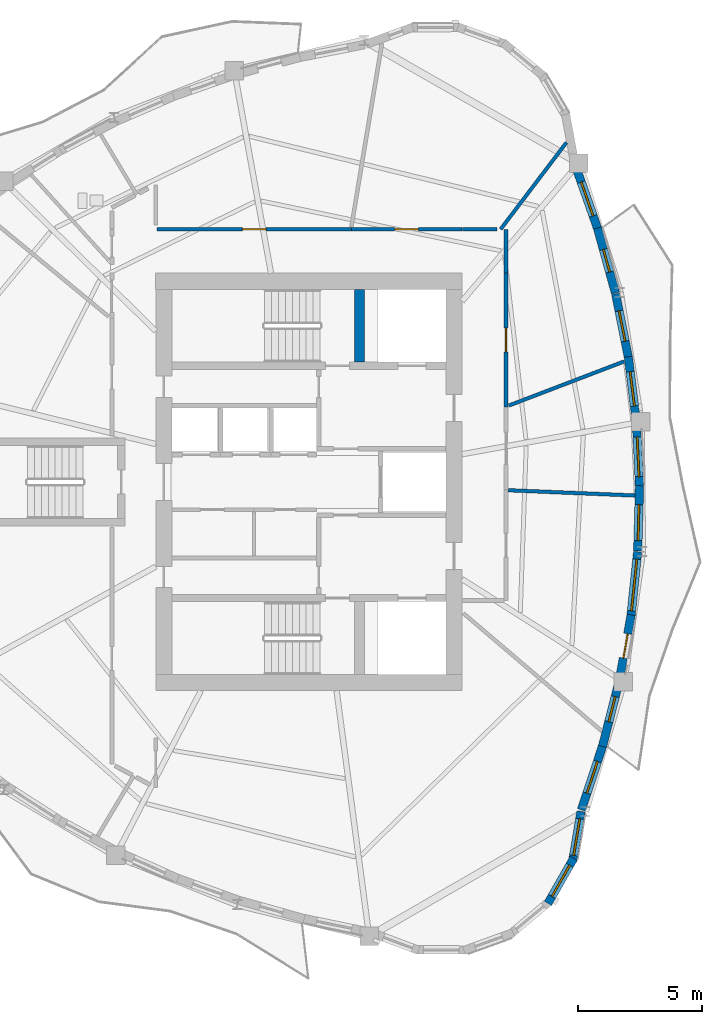
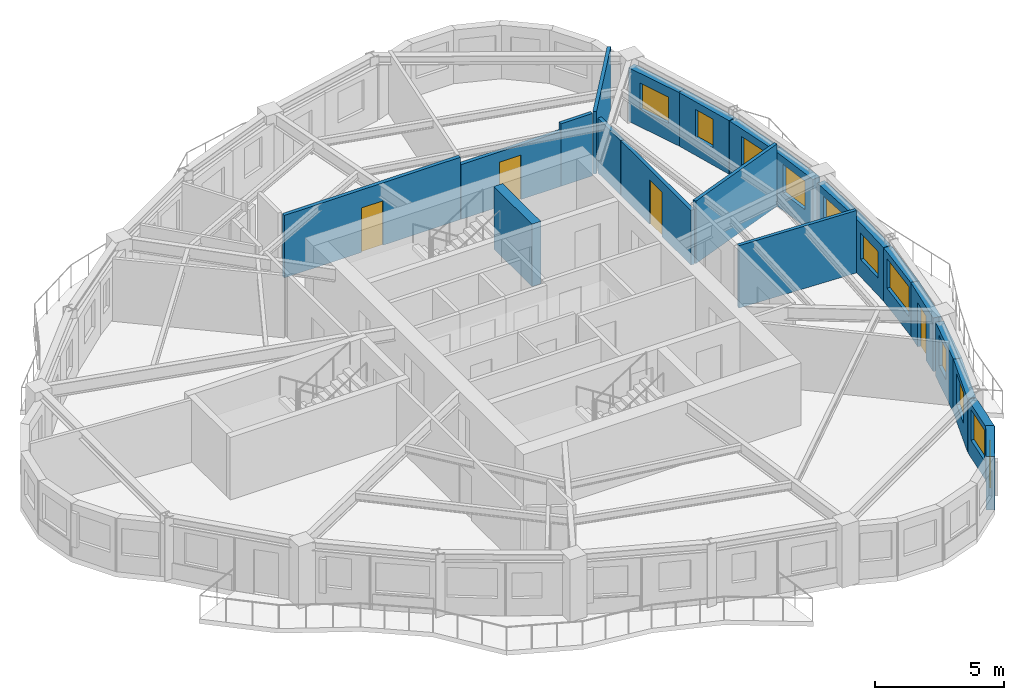
# One storey, part 6 of 11: 21 walls, 11 windows, 4 doors, 15 openings.
"""IFC4 building model written with IfcOpenShell, lengths in metres."""

from ifc_helpers import new_model, si_unit, direction, frame, frame_2d, origin, place, context, subcontext, project, spatial, rectangle, extrude, source, transform, mapped, material, layer, layer_set, type_object, element, fill, save


model = new_model("IFC4")

# Units and contexts
model_context = context("Model", 3, precision=1e-05, world=origin(), true_north=direction((0.0, 1.0)))
body_context = subcontext(model_context, "Body", "Model", "MODEL_VIEW")
ifc_project = project(units=[si_unit("LENGTHUNIT", "METRE"), si_unit("AREAUNIT", "SQUARE_METRE"), si_unit("VOLUMEUNIT", "CUBIC_METRE"), si_unit("PLANEANGLEUNIT", "RADIAN"), si_unit("MASSUNIT", "GRAM", prefix="KILO")], contexts=[model_context])

# Site, building, storey
site_placement = place(None, origin())
site = spatial("IfcSite", under=ifc_project, at=site_placement, CompositionType="ELEMENT")
building_placement = place(site_placement, origin())
building = spatial("IfcBuilding", under=site, at=building_placement, Name="Qafzar Sky-Pleat Residences", CompositionType="ELEMENT")
storey_placement = place(building_placement, frame((0.0, 0.0, 168.199951171875)))
storey = spatial("IfcBuildingStorey", under=building, at=storey_placement, Name="L50", CompositionType="ELEMENT", Elevation=168.199951171875)

# Wall, opening, door
ifc_material_1 = material(Name="Acoustic gypsum plasterboard partition", Category="gypsum")
ifc_layer_1 = layer(ifc_material_1, 0.159912109375)
ifc_layer_set_1 = layer_set([ifc_layer_1], Name="Acoustic gypsum plasterboard partition")
wall_type_1 = type_object("IfcWallType", Name="PART-COR-160", PredefinedType="PARTITIONING", material=ifc_layer_set_1)
wall_1_placement = place(storey_placement, frame((24.200927734375, 36.22998046875, 0.0), z_axis=(0.0, 0.0, 1.0), x_axis=(1.0, 0.0, 0.0)))
wall_1 = element("IfcWall", 1, at=wall_1_placement, inside=storey, type_object=wall_type_1, Name="L50 Partition Wall PART-L50-PW-002", PredefinedType="PARTITIONING", context=body_context, shape_type="SweptSolid", body=[
    extrude(rectangle(XDim=7.8681640625, YDim=0.159912109375, at=frame_2d((3.93408203125, 0.0))), origin(), (0.0, 0.0, 1.0), 2.949951171875),
])
opening_1_placement = place(wall_1_placement, frame((3.45556640625, 0.0, 0.0)))
opening_1 = element("IfcOpeningElement", 2, at=opening_1_placement, cuts=wall_1, Name="Opening ID-06", PredefinedType="OPENING", context=body_context, shape_type="SweptSolid", body=[
    extrude(rectangle(XDim=0.9599609375, YDim=2.10009765625, at=frame_2d((0.47998046875, 1.050048828125))), frame((0.0, 0.08984375, 0.0), z_axis=(0.0, -1.0, 0.0), x_axis=(1.0, 0.0, 0.0)), (0.0, 0.0, 1.0), 0.179931640625),
])
ifc_material_2 = material(Name="Timber-faced fire door", Category="wood")
door_type_1 = type_object("IfcDoorType", Name="DR-STD-960", OperationType="NOTDEFINED", PredefinedType="DOOR", material=ifc_material_2)
shared_shape_1 = source(origin(), body_context, "Body", "SweptSolid", [
    extrude(rectangle(XDim=0.9599609375, YDim=2.10009765625, at=frame_2d((0.47998046875, 1.050048828125))), frame((0.0, 0.02490234375, 0.0), z_axis=(0.0, -1.0, 0.0), x_axis=(1.0, 0.0, 0.0)), (0.0, 0.0, 1.0), 0.050048828125),
])
door_1_placement = place(opening_1_placement, origin())
door_1 = element("IfcDoor", 3, at=door_1_placement, inside=storey, type_object=door_type_1, Name="L50 Postdoctoral Admin Office Door", OperationType="SINGLE_SWING_RIGHT", OverallHeight=2.10009765625, OverallWidth=0.9599609375, PredefinedType="DOOR", context=body_context, shape_type="MappedRepresentation", body=[
    mapped(shared_shape_1, transform((0.0, 0.0, 0.0), x_axis=(1.0, 0.0, 0.0), y_axis=(0.0, 1.0, 0.0), z_axis=(0.0, 0.0, 1.0), scale=1.0)),
])
fill(opening_1, door_1)

wall_2_placement = place(storey_placement, frame((38.330078125, 34.449951171875, 0.0), z_axis=(0.0, 0.0, 1.0), x_axis=(0.0, -1.0, 0.0)))
wall_2 = element("IfcWall", 4, at=wall_2_placement, inside=storey, type_object=wall_type_1, Name="L50 Partition Wall PART-L50-PW-003", PredefinedType="PARTITIONING", context=body_context, shape_type="SweptSolid", body=[
    extrude(rectangle(XDim=5.416015625, YDim=0.159912109375, at=frame_2d((2.7080078125, 0.0))), origin(), (0.0, 0.0, 1.0), 2.588134765625),
])
opening_2_placement = place(wall_2_placement, frame((2.220458984375, 0.0, 0.0)))
opening_2 = element("IfcOpeningElement", 5, at=opening_2_placement, cuts=wall_2, Name="Opening ID-06", PredefinedType="OPENING", context=body_context, shape_type="SweptSolid", body=[
    extrude(rectangle(XDim=0.9599609375, YDim=2.10009765625, at=frame_2d((0.47998046875, 1.050048828125))), frame((0.0, 0.08984375, 0.0), z_axis=(0.0, -1.0, 0.0), x_axis=(1.0, 0.0, 0.0)), (0.0, 0.0, 1.0), 0.179931640625),
])
door_2_placement = place(opening_2_placement, origin())
door_2 = element("IfcDoor", 6, at=door_2_placement, inside=storey, type_object=door_type_1, Name="L50 Media Screening Room Door", OperationType="SINGLE_SWING_LEFT", OverallHeight=2.10009765625, OverallWidth=0.9599609375, PredefinedType="DOOR", context=body_context, shape_type="MappedRepresentation", body=[
    mapped(shared_shape_1, transform((0.0, 0.0, 0.0), x_axis=(1.0, 0.0, 0.0), y_axis=(0.0, 1.0, 0.0), z_axis=(0.0, 0.0, 1.0), scale=1.0)),
])
fill(opening_2, door_2)

wall_3_placement = place(storey_placement, frame((32.083984375, 36.22998046875, 0.0), z_axis=(0.0, 0.0, 1.0), x_axis=(1.0, 0.0, 0.0)))
wall_3 = element("IfcWall", 7, at=wall_3_placement, inside=storey, type_object=wall_type_1, Name="L50 Partition Wall PART-L50-PW-006", PredefinedType="PARTITIONING", context=body_context, shape_type="SweptSolid", body=[
    extrude(rectangle(XDim=4.466064453125, YDim=0.159912109375, at=frame_2d((2.23291015625, 0.0))), origin(), (0.0, 0.0, 1.0), 2.588134765625),
])
opening_3_placement = place(wall_3_placement, frame((1.738037109375, 0.0, 0.0)))
opening_3 = element("IfcOpeningElement", 8, at=opening_3_placement, cuts=wall_3, Name="Opening ID-06", PredefinedType="OPENING", context=body_context, shape_type="SweptSolid", body=[
    extrude(rectangle(XDim=0.9599609375, YDim=2.10009765625, at=frame_2d((0.47998046875, 1.050048828125))), frame((0.0, 0.08984375, 0.0), z_axis=(0.0, -1.0, 0.0), x_axis=(1.0, 0.0, 0.0)), (0.0, 0.0, 1.0), 0.179931640625),
])
door_3_placement = place(opening_3_placement, origin())
door_3 = element("IfcDoor", 9, at=door_3_placement, inside=storey, type_object=door_type_1, Name="L50 Reading Library Door", OperationType="SINGLE_SWING_RIGHT", OverallHeight=2.10009765625, OverallWidth=0.9599609375, PredefinedType="DOOR", context=body_context, shape_type="MappedRepresentation", body=[
    mapped(shared_shape_1, transform((0.0, 0.0, 0.0), x_axis=(1.0, 0.0, 0.0), y_axis=(0.0, 1.0, 0.0), z_axis=(0.0, 0.0, 1.0), scale=1.0)),
])
fill(opening_3, door_3)

# Walls
wall_4_placement = place(storey_placement, frame((38.330078125, 34.465087890625, 0.0), z_axis=(0.0, 0.0, 1.0), x_axis=(0.0, 1.0, 0.0)))
element("IfcWall", 10, at=wall_4_placement, inside=storey, type_object=wall_type_1, Name="L50 Partition Wall PART-L50-PW-022", PredefinedType="PARTITIONING", context=body_context, shape_type="SweptSolid", body=[
    extrude(rectangle(XDim=1.764892578125, YDim=0.159912109375, at=frame_2d((0.88232421875, 0.0))), origin(), (0.0, 0.0, 1.0), 2.588134765625),
])
wall_5_placement = place(storey_placement, frame((36.56494140625, 36.22998046875, 0.0), z_axis=(0.0, 0.0, 1.0), x_axis=(1.0, 0.0, 0.0)))
element("IfcWall", 11, at=wall_5_placement, inside=storey, type_object=wall_type_1, Name="L50 Partition Wall PART-L50-PW-024", PredefinedType="PARTITIONING", context=body_context, shape_type="SweptSolid", body=[
    extrude(rectangle(XDim=1.40625, YDim=0.159912109375, at=frame_2d((0.703125, 0.0))), origin(), (0.0, 0.0, 1.0), 2.949951171875),
])
ifc_layer_2 = layer(ifc_material_1, 0.14501953125)
ifc_layer_set_2 = layer_set([ifc_layer_2], Name="Acoustic gypsum plasterboard partition")
wall_type_2 = type_object("IfcWallType", Name="PART-UNIT-145", PredefinedType="PARTITIONING", material=ifc_layer_set_2)
wall_6_placement = place(storey_placement, frame((38.4208984375, 25.664306640625, 0.0), z_axis=(0.0, 0.0, 1.0), x_axis=(0.999132413059, -0.041646382499, 0.0)))
element("IfcWall", 12, at=wall_6_placement, inside=storey, type_object=wall_type_2, Name="L50 Partition Wall PART-L50-PW-015", PredefinedType="PARTITIONING", context=body_context, shape_type="SweptSolid", body=[
    extrude(rectangle(XDim=5.12939453125, YDim=0.14501953125, at=frame_2d((2.564697265625, 0.0))), origin(), (0.0, 0.0, 1.0), 2.949951171875),
])
wall_7_placement = place(storey_placement, frame((38.443359375, 29.09228515625, 0.0), z_axis=(0.0, 0.0, 1.0), x_axis=(0.934064302859, 0.357104855923, 0.0)))
element("IfcWall", 13, at=wall_7_placement, inside=storey, type_object=wall_type_2, Name="L50 Partition Wall PART-L50-PW-016", PredefinedType="PARTITIONING", context=body_context, shape_type="SweptSolid", body=[
    extrude(rectangle(XDim=4.994873046875, YDim=0.14501953125, at=frame_2d((2.49755859375, 0.0))), origin(), (0.0, 0.0, 1.0), 2.949951171875),
])
wall_8_placement = place(storey_placement, frame((38.112060546875, 36.22998046875, 0.0), z_axis=(0.0, 0.0, 1.0), x_axis=(0.604495658019, 0.796608435453, 0.0)))
element("IfcWall", 14, at=wall_8_placement, inside=storey, type_object=wall_type_2, Name="L50 Partition Wall PART-L50-PW-018", PredefinedType="PARTITIONING", context=body_context, shape_type="SweptSolid", body=[
    extrude(rectangle(XDim=4.404541015625, YDim=0.14501953125, at=frame_2d((2.2021484375, 0.0))), origin(), (0.0, 0.0, 1.0), 2.949951171875),
])

# Wall, opening, window
ifc_material_3 = material(Name="Precast concrete C40/50 with honed Riyadh limestone", Category="concrete")
ifc_layer_3 = layer(ifc_material_3, 0.340087890625)
ifc_layer_set_3 = layer_set([ifc_layer_3], Name="Precast concrete C40/50 with honed Riyadh limestone")
wall_type_3 = type_object("IfcWallType", Name="WALL-EXT-340", PredefinedType="SOLIDWALL", material=ifc_layer_set_3)
wall_9_placement = place(storey_placement, frame((40.02685546875, 8.934326171875, 0.0), z_axis=(0.0, 0.0, 1.0), x_axis=(0.495852152567, 0.868406956901, 0.0)))
wall_9 = element("IfcWall", 15, at=wall_9_placement, inside=storey, type_object=wall_type_3, Name="L50 Limestone Facade Wall 21", PredefinedType="SOLIDWALL", context=body_context, shape_type="SweptSolid", body=[
    extrude(rectangle(XDim=2.10888671875, YDim=0.340087890625, at=frame_2d((1.054443359375, 0.0))), origin(), (0.0, 0.0, 1.0), 2.530029296875),
])
opening_4_placement = place(wall_9_placement, frame((0.329345703125, 0.0, 0.820068359375)))
opening_4 = element("IfcOpeningElement", 16, at=opening_4_placement, cuts=wall_9, Name="Opening WN-15", PredefinedType="OPENING", context=body_context, shape_type="SweptSolid", body=[
    extrude(rectangle(XDim=1.449951171875, YDim=1.25, at=frame_2d((0.72509765625, 0.625))), frame((0.0, 0.18017578125, 0.0), z_axis=(0.0, -1.0, 0.0), x_axis=(1.0, 0.0, 0.0)), (0.0, 0.0, 1.0), 0.360107421875),
])
ifc_material_4 = material(Name="Solar-control low-E glass in bronze aluminium frame", Category="glass")
window_type_1 = type_object("IfcWindowType", Name="WIN-15", PartitioningType="SINGLE_PANEL", PredefinedType="WINDOW", material=ifc_material_4)
shared_shape_2 = source(origin(), body_context, "Body", "SweptSolid", [
    extrude(rectangle(XDim=1.449951171875, YDim=1.25, at=frame_2d((0.72509765625, 0.625))), frame((0.0, 0.030029296875, 0.0), z_axis=(0.0, -1.0, 0.0), x_axis=(1.0, 0.0, 0.0)), (0.0, 0.0, 1.0), 0.06005859375),
])
window_1_placement = place(opening_4_placement, origin())
window_1 = element("IfcWindow", 17, at=window_1_placement, inside=storey, type_object=window_type_1, Name="L50 Punched Facade Window 21", OverallHeight=1.25, OverallWidth=1.449951171875, PartitioningType="SINGLE_PANEL", PredefinedType="WINDOW", context=body_context, shape_type="MappedRepresentation", body=[
    mapped(shared_shape_2, transform((0.0, 0.0, 0.0), x_axis=(1.0, 0.0, 0.0), y_axis=(0.0, 1.0, 0.0), z_axis=(0.0, 0.0, 1.0), scale=1.0)),
])
fill(opening_4, window_1)

wall_10_placement = place(storey_placement, frame((41.02734375, 10.63916015625, 0.0), z_axis=(0.0, 0.0, 1.0), x_axis=(0.165595781399, 0.986193711794, 0.0)))
wall_10 = element("IfcWall", 18, at=wall_10_placement, inside=storey, type_object=wall_type_3, Name="L50 Limestone Facade Wall 22", PredefinedType="SOLIDWALL", context=body_context, shape_type="SweptSolid", body=[
    extrude(rectangle(XDim=2.05078125, YDim=0.340087890625, at=frame_2d((1.025390625, 0.0))), origin(), (0.0, 0.0, 1.0), 2.530029296875),
])
opening_5_placement = place(wall_10_placement, frame((0.245361328125, 0.0, 0.820068359375)))
opening_5 = element("IfcOpeningElement", 19, at=opening_5_placement, cuts=wall_10, Name="Opening WN-03", PredefinedType="OPENING", context=body_context, shape_type="SweptSolid", body=[
    extrude(rectangle(XDim=1.5, YDim=1.449951171875, at=frame_2d((0.75, 0.72509765625))), frame((0.0, 0.18017578125, 0.0), z_axis=(0.0, -1.0, 0.0), x_axis=(1.0, 0.0, 0.0)), (0.0, 0.0, 1.0), 0.360107421875),
])
window_type_2 = type_object("IfcWindowType", Name="WIN-03", PartitioningType="DOUBLE_PANEL_VERTICAL", PredefinedType="WINDOW", material=ifc_material_4)
shared_shape_3 = source(origin(), body_context, "Body", "SweptSolid", [
    extrude(rectangle(XDim=1.5, YDim=1.449951171875, at=frame_2d((0.75, 0.72509765625))), frame((0.0, 0.030029296875, 0.0), z_axis=(0.0, -1.0, 0.0), x_axis=(1.0, 0.0, 0.0)), (0.0, 0.0, 1.0), 0.06005859375),
])
window_2_placement = place(opening_5_placement, origin())
window_2 = element("IfcWindow", 20, at=window_2_placement, inside=storey, type_object=window_type_2, Name="L50 Punched Facade Window 22", OverallHeight=1.449951171875, OverallWidth=1.5, PartitioningType="SINGLE_PANEL", PredefinedType="WINDOW", context=body_context, shape_type="MappedRepresentation", body=[
    mapped(shared_shape_3, transform((0.0, 0.0, 0.0), x_axis=(1.0, 0.0, 0.0), y_axis=(0.0, 1.0, 0.0), z_axis=(0.0, 0.0, 1.0), scale=1.0)),
])
fill(opening_5, window_2)

wall_11_placement = place(storey_placement, frame((41.3828125, 12.7255859375, 0.0), z_axis=(0.0, 0.0, 1.0), x_axis=(0.314443872574, 0.949276066801, 0.0)))
wall_11 = element("IfcWall", 21, at=wall_11_placement, inside=storey, type_object=wall_type_3, Name="L50 Limestone Facade Wall 23", PredefinedType="SOLIDWALL", context=body_context, shape_type="SweptSolid", body=[
    extrude(rectangle(XDim=2.792724609375, YDim=0.340087890625, at=frame_2d((1.396484375, 0.0))), origin(), (0.0, 0.0, 1.0), 2.530029296875),
])
opening_6_placement = place(wall_11_placement, frame((0.71142578125, 0.0, 0.820068359375)))
opening_6 = element("IfcOpeningElement", 22, at=opening_6_placement, cuts=wall_11, Name="Opening WN-04", PredefinedType="OPENING", context=body_context, shape_type="SweptSolid", body=[
    extrude(rectangle(XDim=1.35009765625, YDim=1.449951171875, at=frame_2d((0.675048828125, 0.72509765625))), frame((0.0, 0.18017578125, 0.0), z_axis=(0.0, -1.0, 0.0), x_axis=(1.0, 0.0, 0.0)), (0.0, 0.0, 1.0), 0.360107421875),
])
window_type_3 = type_object("IfcWindowType", Name="WIN-04", PartitioningType="SINGLE_PANEL", PredefinedType="WINDOW", material=ifc_material_4)
shared_shape_4 = source(origin(), body_context, "Body", "SweptSolid", [
    extrude(rectangle(XDim=1.35009765625, YDim=1.449951171875, at=frame_2d((0.675048828125, 0.72509765625))), frame((0.0, 0.030029296875, 0.0), z_axis=(0.0, -1.0, 0.0), x_axis=(1.0, 0.0, 0.0)), (0.0, 0.0, 1.0), 0.06005859375),
])
window_3_placement = place(opening_6_placement, origin())
window_3 = element("IfcWindow", 23, at=window_3_placement, inside=storey, type_object=window_type_3, Name="L50 Punched Facade Window 23", OverallHeight=1.449951171875, OverallWidth=1.35009765625, PartitioningType="SINGLE_PANEL", PredefinedType="WINDOW", context=body_context, shape_type="MappedRepresentation", body=[
    mapped(shared_shape_4, transform((0.0, 0.0, 0.0), x_axis=(1.0, 0.0, 0.0), y_axis=(0.0, 1.0, 0.0), z_axis=(0.0, 0.0, 1.0), scale=1.0)),
])
fill(opening_6, window_3)

wall_12_placement = place(storey_placement, frame((42.236328125, 15.29248046875, 0.0), z_axis=(0.0, 0.0, 1.0), x_axis=(0.24772461275, 0.968830488908, 0.0)))
wall_12 = element("IfcWall", 24, at=wall_12_placement, inside=storey, type_object=wall_type_3, Name="L50 Limestone Facade Wall 24", PredefinedType="SOLIDWALL", context=body_context, shape_type="SweptSolid", body=[
    extrude(rectangle(XDim=2.599853515625, YDim=0.340087890625, at=frame_2d((1.2998046875, 0.0))), origin(), (0.0, 0.0, 1.0), 2.530029296875),
])
opening_7_placement = place(wall_12_placement, frame((1.03271484375, 0.0, 0.820068359375)))
opening_7 = element("IfcOpeningElement", 25, at=opening_7_placement, cuts=wall_12, Name="Opening WN-06", PredefinedType="OPENING", context=body_context, shape_type="SweptSolid", body=[
    extrude(rectangle(XDim=1.050048828125, YDim=1.449951171875, at=frame_2d((0.52490234375, 0.72509765625))), frame((0.0, 0.18017578125, 0.0), z_axis=(0.0, -1.0, 0.0), x_axis=(1.0, 0.0, 0.0)), (0.0, 0.0, 1.0), 0.360107421875),
])
window_type_4 = type_object("IfcWindowType", Name="WIN-06", PartitioningType="SINGLE_PANEL", PredefinedType="WINDOW", material=ifc_material_4)
shared_shape_5 = source(origin(), body_context, "Body", "SweptSolid", [
    extrude(rectangle(XDim=1.050048828125, YDim=1.449951171875, at=frame_2d((0.52490234375, 0.72509765625))), frame((0.0, 0.030029296875, 0.0), z_axis=(0.0, -1.0, 0.0), x_axis=(1.0, 0.0, 0.0)), (0.0, 0.0, 1.0), 0.06005859375),
])
window_4_placement = place(opening_7_placement, origin())
window_4 = element("IfcWindow", 26, at=window_4_placement, inside=storey, type_object=window_type_4, Name="L50 Punched Facade Window 24-2", OverallHeight=1.449951171875, OverallWidth=1.050048828125, PartitioningType="SINGLE_PANEL", PredefinedType="WINDOW", context=body_context, shape_type="MappedRepresentation", body=[
    mapped(shared_shape_5, transform((0.0, 0.0, 0.0), x_axis=(1.0, 0.0, 0.0), y_axis=(0.0, 1.0, 0.0), z_axis=(0.0, 0.0, 1.0), scale=1.0)),
])
fill(opening_7, window_4)

# Wall, opening, door
wall_13_placement = place(storey_placement, frame((42.943603515625, 18.10205078125, 0.0), z_axis=(0.0, 0.0, 1.0), x_axis=(0.177119685378, 0.98418931972, 0.0)))
wall_13 = element("IfcWall", 27, at=wall_13_placement, inside=storey, type_object=wall_type_3, Name="L50 Limestone Facade Wall 25", PredefinedType="SOLIDWALL", context=body_context, shape_type="SweptSolid", body=[
    extrude(rectangle(XDim=2.555419921875, YDim=0.340087890625, at=frame_2d((1.27783203125, 0.0))), origin(), (0.0, 0.0, 1.0), 2.530029296875),
])
opening_8_placement = place(wall_13_placement, frame((0.77783203125, 0.0, 0.0)))
opening_8 = element("IfcOpeningElement", 28, at=opening_8_placement, cuts=wall_13, Name="Opening ED-05", PredefinedType="OPENING", context=body_context, shape_type="SweptSolid", body=[
    extrude(rectangle(XDim=1.0, YDim=2.10009765625, at=frame_2d((0.5, 1.050048828125))), frame((0.0, 0.18017578125, 0.0), z_axis=(0.0, -1.0, 0.0), x_axis=(1.0, 0.0, 0.0)), (0.0, 0.0, 1.0), 0.360107421875),
])
ifc_material_5 = material(Name="Glazed bronze aluminium door", Category="aluminium")
door_type_2 = type_object("IfcDoorType", Name="DR-BAL-1000", OperationType="NOTDEFINED", PredefinedType="DOOR", material=ifc_material_5)
shared_shape_6 = source(origin(), body_context, "Body", "SweptSolid", [
    extrude(rectangle(XDim=1.0, YDim=2.10009765625, at=frame_2d((0.5, 1.050048828125))), frame((0.0, 0.02490234375, 0.0), z_axis=(0.0, -1.0, 0.0), x_axis=(1.0, 0.0, 0.0)), (0.0, 0.0, 1.0), 0.050048828125),
])
door_4_placement = place(opening_8_placement, origin())
door_4 = element("IfcDoor", 29, at=door_4_placement, inside=storey, type_object=door_type_2, Name="L50 Glazed Balcony Door 1", OperationType="SINGLE_SWING_LEFT", OverallHeight=2.10009765625, OverallWidth=1.0, PredefinedType="DOOR", context=body_context, shape_type="MappedRepresentation", body=[
    mapped(shared_shape_6, transform((0.0, 0.0, 0.0), x_axis=(1.0, 0.0, 0.0), y_axis=(0.0, 1.0, 0.0), z_axis=(0.0, 0.0, 1.0), scale=1.0)),
])
fill(opening_8, door_4)

# Wall, opening, window
wall_14_placement = place(storey_placement, frame((43.3837890625, 20.529541015625, 0.0), z_axis=(0.0, 0.0, 1.0), x_axis=(0.103600410634, 0.994618999877, 0.0)))
wall_14 = element("IfcWall", 30, at=wall_14_placement, inside=storey, type_object=wall_type_3, Name="L50 Limestone Facade Wall 26", PredefinedType="SOLIDWALL", context=body_context, shape_type="SweptSolid", body=[
    extrude(rectangle(XDim=2.66064453125, YDim=0.340087890625, at=frame_2d((1.330322265625, 0.0))), origin(), (0.0, 0.0, 1.0), 2.530029296875),
])
opening_9_placement = place(wall_14_placement, frame((0.250244140625, 0.0, 0.820068359375)))
opening_9 = element("IfcOpeningElement", 31, at=opening_9_placement, cuts=wall_14, Name="Opening WN-07", PredefinedType="OPENING", context=body_context, shape_type="SweptSolid", body=[
    extrude(rectangle(XDim=2.10009765625, YDim=1.39990234375, at=frame_2d((1.050048828125, 0.699951171875))), frame((0.0, 0.18017578125, 0.0), z_axis=(0.0, -1.0, 0.0), x_axis=(1.0, 0.0, 0.0)), (0.0, 0.0, 1.0), 0.360107421875),
])
window_type_5 = type_object("IfcWindowType", Name="WIN-07", PartitioningType="DOUBLE_PANEL_VERTICAL", PredefinedType="WINDOW", material=ifc_material_4)
shared_shape_7 = source(origin(), body_context, "Body", "SweptSolid", [
    extrude(rectangle(XDim=2.10009765625, YDim=1.39990234375, at=frame_2d((1.050048828125, 0.699951171875))), frame((0.0, 0.030029296875, 0.0), z_axis=(0.0, -1.0, 0.0), x_axis=(1.0, 0.0, 0.0)), (0.0, 0.0, 1.0), 0.06005859375),
])
window_5_placement = place(opening_9_placement, origin())
window_5 = element("IfcWindow", 32, at=window_5_placement, inside=storey, type_object=window_type_5, Name="L50 Punched Facade Window 26", OverallHeight=1.39990234375, OverallWidth=2.10009765625, PartitioningType="SINGLE_PANEL", PredefinedType="WINDOW", context=body_context, shape_type="MappedRepresentation", body=[
    mapped(shared_shape_7, transform((0.0, 0.0, 0.0), x_axis=(1.0, 0.0, 0.0), y_axis=(0.0, 1.0, 0.0), z_axis=(0.0, 0.0, 1.0), scale=1.0)),
])
fill(opening_9, window_5)

wall_15_placement = place(storey_placement, frame((43.661376953125, 23.202880859375, 0.0), z_axis=(0.0, 0.0, 1.0), x_axis=(0.028240970376, 0.999601144253, 0.0)))
wall_15 = element("IfcWall", 33, at=wall_15_placement, inside=storey, type_object=wall_type_3, Name="L50 Limestone Facade Wall 27", PredefinedType="SOLIDWALL", context=body_context, shape_type="SweptSolid", body=[
    extrude(rectangle(XDim=2.645263671875, YDim=0.340087890625, at=frame_2d((1.32275390625, 0.0))), origin(), (0.0, 0.0, 1.0), 2.530029296875),
])
opening_10_placement = place(wall_15_placement, frame((0.4267578125, 0.0, 0.820068359375)))
opening_10 = element("IfcOpeningElement", 34, at=opening_10_placement, cuts=wall_15, Name="Opening WN-15", PredefinedType="OPENING", context=body_context, shape_type="SweptSolid", body=[
    extrude(rectangle(XDim=1.449951171875, YDim=1.25, at=frame_2d((0.72509765625, 0.625))), frame((0.0, 0.18017578125, 0.0), z_axis=(0.0, -1.0, 0.0), x_axis=(1.0, 0.0, 0.0)), (0.0, 0.0, 1.0), 0.360107421875),
])
window_6_placement = place(opening_10_placement, origin())
window_6 = element("IfcWindow", 35, at=window_6_placement, inside=storey, type_object=window_type_1, Name="L50 Punched Facade Window 27", OverallHeight=1.25, OverallWidth=1.449951171875, PartitioningType="SINGLE_PANEL", PredefinedType="WINDOW", context=body_context, shape_type="MappedRepresentation", body=[
    mapped(shared_shape_2, transform((0.0, 0.0, 0.0), x_axis=(1.0, 0.0, 0.0), y_axis=(0.0, 1.0, 0.0), z_axis=(0.0, 0.0, 1.0), scale=1.0)),
])
fill(opening_10, window_6)

wall_16_placement = place(storey_placement, frame((43.737060546875, 25.75830078125, 0.0), z_axis=(0.0, 0.0, 1.0), x_axis=(-0.047648310491, 0.998864174204, 0.0)))
wall_16 = element("IfcWall", 36, at=wall_16_placement, inside=storey, type_object=wall_type_3, Name="L50 Limestone Facade Wall 28", PredefinedType="SOLIDWALL", context=body_context, shape_type="SweptSolid", body=[
    extrude(rectangle(XDim=2.5107421875, YDim=0.340087890625, at=frame_2d((1.25537109375, 0.0))), origin(), (0.0, 0.0, 1.0), 2.530029296875),
])
opening_11_placement = place(wall_16_placement, frame((0.460205078125, 0.0, 0.820068359375)))
opening_11 = element("IfcOpeningElement", 37, at=opening_11_placement, cuts=wall_16, Name="Opening WN-09", PredefinedType="OPENING", context=body_context, shape_type="SweptSolid", body=[
    extrude(rectangle(XDim=1.60009765625, YDim=1.35009765625, at=frame_2d((0.800048828125, 0.675048828125))), frame((0.0, 0.18017578125, 0.0), z_axis=(0.0, -1.0, 0.0), x_axis=(1.0, 0.0, 0.0)), (0.0, 0.0, 1.0), 0.360107421875),
])
window_type_6 = type_object("IfcWindowType", Name="WIN-09", PartitioningType="DOUBLE_PANEL_VERTICAL", PredefinedType="WINDOW", material=ifc_material_4)
shared_shape_8 = source(origin(), body_context, "Body", "SweptSolid", [
    extrude(rectangle(XDim=1.60009765625, YDim=1.35009765625, at=frame_2d((0.800048828125, 0.675048828125))), frame((0.0, 0.030029296875, 0.0), z_axis=(0.0, -1.0, 0.0), x_axis=(1.0, 0.0, 0.0)), (0.0, 0.0, 1.0), 0.06005859375),
])
window_7_placement = place(opening_11_placement, origin())
window_7 = element("IfcWindow", 38, at=window_7_placement, inside=storey, type_object=window_type_6, Name="L50 Punched Facade Window 28", OverallHeight=1.35009765625, OverallWidth=1.60009765625, PartitioningType="SINGLE_PANEL", PredefinedType="WINDOW", context=body_context, shape_type="MappedRepresentation", body=[
    mapped(shared_shape_8, transform((0.0, 0.0, 0.0), x_axis=(1.0, 0.0, 0.0), y_axis=(0.0, 1.0, 0.0), z_axis=(0.0, 0.0, 1.0), scale=1.0)),
])
fill(opening_11, window_7)

wall_17_placement = place(storey_placement, frame((43.592041015625, 28.561767578125, 0.0), z_axis=(0.0, 0.0, 1.0), x_axis=(-0.122868649786, 0.992422941542, 0.0)))
wall_17 = element("IfcWall", 39, at=wall_17_placement, inside=storey, type_object=wall_type_3, Name="L50 Limestone Facade Wall 29", PredefinedType="SOLIDWALL", context=body_context, shape_type="SweptSolid", body=[
    extrude(rectangle(XDim=2.525390625, YDim=0.340087890625, at=frame_2d((1.2626953125, 0.0))), origin(), (0.0, 0.0, 1.0), 2.530029296875),
])
opening_12_placement = place(wall_17_placement, frame((0.51708984375, 0.0, 0.820068359375)))
opening_12 = element("IfcOpeningElement", 40, at=opening_12_placement, cuts=wall_17, Name="Opening WN-10", PredefinedType="OPENING", context=body_context, shape_type="SweptSolid", body=[
    extrude(rectangle(XDim=1.39990234375, YDim=1.35009765625, at=frame_2d((0.699951171875, 0.675048828125))), frame((0.0, 0.18017578125, 0.0), z_axis=(0.0, -1.0, 0.0), x_axis=(1.0, 0.0, 0.0)), (0.0, 0.0, 1.0), 0.360107421875),
])
window_type_7 = type_object("IfcWindowType", Name="WIN-10", PartitioningType="SINGLE_PANEL", PredefinedType="WINDOW", material=ifc_material_4)
shared_shape_9 = source(origin(), body_context, "Body", "SweptSolid", [
    extrude(rectangle(XDim=1.39990234375, YDim=1.35009765625, at=frame_2d((0.699951171875, 0.675048828125))), frame((0.0, 0.030029296875, 0.0), z_axis=(0.0, -1.0, 0.0), x_axis=(1.0, 0.0, 0.0)), (0.0, 0.0, 1.0), 0.06005859375),
])
window_8_placement = place(opening_12_placement, origin())
window_8 = element("IfcWindow", 41, at=window_8_placement, inside=storey, type_object=window_type_7, Name="L50 Punched Facade Window 29", OverallHeight=1.35009765625, OverallWidth=1.39990234375, PartitioningType="SINGLE_PANEL", PredefinedType="WINDOW", context=body_context, shape_type="MappedRepresentation", body=[
    mapped(shared_shape_9, transform((0.0, 0.0, 0.0), x_axis=(1.0, 0.0, 0.0), y_axis=(0.0, 1.0, 0.0), z_axis=(0.0, 0.0, 1.0), scale=1.0)),
])
fill(opening_12, window_8)

wall_18_placement = place(storey_placement, frame((43.2958984375, 30.980712890625, 0.0), z_axis=(0.0, 0.0, 1.0), x_axis=(-0.196185936796, 0.980566712776, 0.0)))
wall_18 = element("IfcWall", 42, at=wall_18_placement, inside=storey, type_object=wall_type_3, Name="L50 Limestone Facade Wall 30", PredefinedType="SOLIDWALL", context=body_context, shape_type="SweptSolid", body=[
    extrude(rectangle(XDim=2.6904296875, YDim=0.340087890625, at=frame_2d((1.34521484375, 0.0))), origin(), (0.0, 0.0, 1.0), 2.530029296875),
])
opening_13_placement = place(wall_18_placement, frame((0.730224609375, 0.0, 0.820068359375)))
opening_13 = element("IfcOpeningElement", 43, at=opening_13_placement, cuts=wall_18, Name="Opening WN-11", PredefinedType="OPENING", context=body_context, shape_type="SweptSolid", body=[
    extrude(rectangle(XDim=1.25, YDim=1.35009765625, at=frame_2d((0.625, 0.675048828125))), frame((0.0, 0.18017578125, 0.0), z_axis=(0.0, -1.0, 0.0), x_axis=(1.0, 0.0, 0.0)), (0.0, 0.0, 1.0), 0.360107421875),
])
window_type_8 = type_object("IfcWindowType", Name="WIN-11", PartitioningType="SINGLE_PANEL", PredefinedType="WINDOW", material=ifc_material_4)
shared_shape_10 = source(origin(), body_context, "Body", "SweptSolid", [
    extrude(rectangle(XDim=1.25, YDim=1.35009765625, at=frame_2d((0.625, 0.675048828125))), frame((0.0, 0.030029296875, 0.0), z_axis=(0.0, -1.0, 0.0), x_axis=(1.0, 0.0, 0.0)), (0.0, 0.0, 1.0), 0.06005859375),
])
window_9_placement = place(opening_13_placement, origin())
window_9 = element("IfcWindow", 44, at=window_9_placement, inside=storey, type_object=window_type_8, Name="L50 Punched Facade Window 30", OverallHeight=1.35009765625, OverallWidth=1.25, PartitioningType="SINGLE_PANEL", PredefinedType="WINDOW", context=body_context, shape_type="MappedRepresentation", body=[
    mapped(shared_shape_10, transform((0.0, 0.0, 0.0), x_axis=(1.0, 0.0, 0.0), y_axis=(0.0, 1.0, 0.0), z_axis=(0.0, 0.0, 1.0), scale=1.0)),
])
fill(opening_13, window_9)

wall_19_placement = place(storey_placement, frame((42.76171875, 33.64599609375, 0.0), z_axis=(0.0, 0.0, 1.0), x_axis=(-0.266469604257, 0.963843322334, 0.0)))
wall_19 = element("IfcWall", 45, at=wall_19_placement, inside=storey, type_object=wall_type_3, Name="L50 Limestone Facade Wall 31", PredefinedType="SOLIDWALL", context=body_context, shape_type="SweptSolid", body=[
    extrude(rectangle(XDim=2.73486328125, YDim=0.340087890625, at=frame_2d((1.367431640625, 0.0))), origin(), (0.0, 0.0, 1.0), 2.530029296875),
])
opening_14_placement = place(wall_19_placement, frame((0.88232421875, 0.0, 0.820068359375)))
opening_14 = element("IfcOpeningElement", 46, at=opening_14_placement, cuts=wall_19, Name="Opening WN-12", PredefinedType="OPENING", context=body_context, shape_type="SweptSolid", body=[
    extrude(rectangle(XDim=0.949951171875, YDim=1.35009765625, at=frame_2d((0.47509765625, 0.675048828125))), frame((0.0, 0.18017578125, 0.0), z_axis=(0.0, -1.0, 0.0), x_axis=(1.0, 0.0, 0.0)), (0.0, 0.0, 1.0), 0.360107421875),
])
window_type_9 = type_object("IfcWindowType", Name="WIN-12", PartitioningType="SINGLE_PANEL", PredefinedType="WINDOW", material=ifc_material_4)
shared_shape_11 = source(origin(), body_context, "Body", "SweptSolid", [
    extrude(rectangle(XDim=0.949951171875, YDim=1.35009765625, at=frame_2d((0.47509765625, 0.675048828125))), frame((0.0, 0.030029296875, 0.0), z_axis=(0.0, -1.0, 0.0), x_axis=(1.0, 0.0, 0.0)), (0.0, 0.0, 1.0), 0.06005859375),
])
window_10_placement = place(opening_14_placement, origin())
window_10 = element("IfcWindow", 47, at=window_10_placement, inside=storey, type_object=window_type_9, Name="L50 Punched Facade Window 31", OverallHeight=1.35009765625, OverallWidth=0.949951171875, PartitioningType="SINGLE_PANEL", PredefinedType="WINDOW", context=body_context, shape_type="MappedRepresentation", body=[
    mapped(shared_shape_11, transform((0.0, 0.0, 0.0), x_axis=(1.0, 0.0, 0.0), y_axis=(0.0, 1.0, 0.0), z_axis=(0.0, 0.0, 1.0), scale=1.0)),
])
fill(opening_14, window_10)

wall_20_placement = place(storey_placement, frame((42.059326171875, 36.1982421875, 0.0), z_axis=(0.0, 0.0, 1.0), x_axis=(-0.332714406781, 0.943027636668, 0.0)))
wall_20 = element("IfcWall", 48, at=wall_20_placement, inside=storey, type_object=wall_type_3, Name="L50 Limestone Facade Wall 32", PredefinedType="SOLIDWALL", context=body_context, shape_type="SweptSolid", body=[
    extrude(rectangle(XDim=2.65771484375, YDim=0.340087890625, at=frame_2d((1.328857421875, 0.0))), origin(), (0.0, 0.0, 1.0), 2.530029296875),
])
opening_15_placement = place(wall_20_placement, frame((0.60888671875, 0.0, 0.820068359375)))
opening_15 = element("IfcOpeningElement", 49, at=opening_15_placement, cuts=wall_20, Name="Opening WN-15", PredefinedType="OPENING", context=body_context, shape_type="SweptSolid", body=[
    extrude(rectangle(XDim=1.449951171875, YDim=1.25, at=frame_2d((0.72509765625, 0.625))), frame((0.0, 0.18017578125, 0.0), z_axis=(0.0, -1.0, 0.0), x_axis=(1.0, 0.0, 0.0)), (0.0, 0.0, 1.0), 0.360107421875),
])
window_11_placement = place(opening_15_placement, origin())
window_11 = element("IfcWindow", 50, at=window_11_placement, inside=storey, type_object=window_type_1, Name="L50 Punched Facade Window 32", OverallHeight=1.25, OverallWidth=1.449951171875, PartitioningType="SINGLE_PANEL", PredefinedType="WINDOW", context=body_context, shape_type="MappedRepresentation", body=[
    mapped(shared_shape_2, transform((0.0, 0.0, 0.0), x_axis=(1.0, 0.0, 0.0), y_axis=(0.0, 1.0, 0.0), z_axis=(0.0, 0.0, 1.0), scale=1.0)),
])
fill(opening_15, window_11)

# Wall
ifc_material_6 = material(Name="Concrete C60/75", Category="concrete")
ifc_layer_4 = layer(ifc_material_6, 0.39990234375)
ifc_layer_set_4 = layer_set([ifc_layer_4], Name="Concrete C60/75")
wall_type_4 = type_object("IfcWallType", Name="WALL-SHEAR-400", PredefinedType="SHEAR", material=ifc_layer_set_4)
wall_21_placement = place(storey_placement, frame((32.39990234375, 30.85009765625, 0.0), z_axis=(0.0, 0.0, 1.0), x_axis=(0.0, 1.0, 0.0)))
element("IfcWall", 51, at=wall_21_placement, inside=storey, type_object=wall_type_4, Name="L50 Stair ST2 East Dividing Wall", PredefinedType="SHEAR", context=body_context, shape_type="SweptSolid", body=[
    extrude(rectangle(XDim=2.949951171875, YDim=0.39990234375, at=frame_2d((1.47509765625, 0.0))), origin(), (0.0, 0.0, 1.0), 2.949951171875),
])

save(model, "model.ifc")
